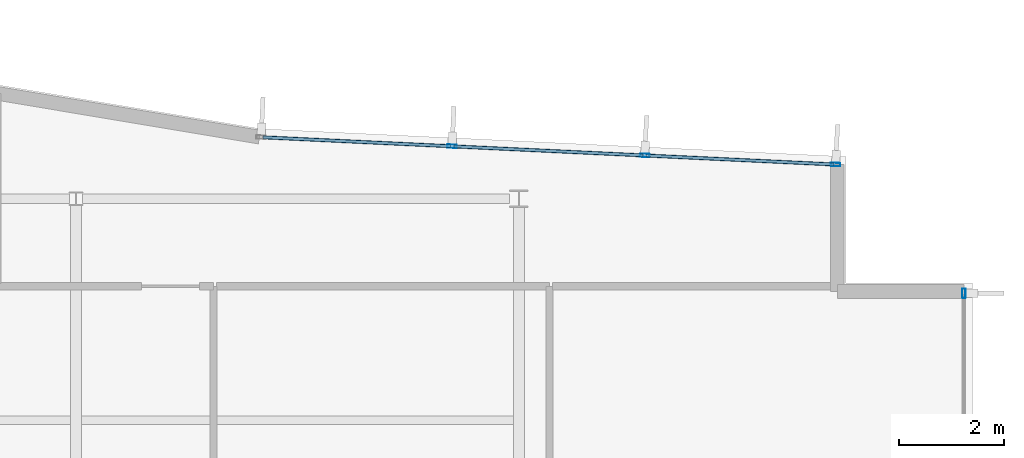
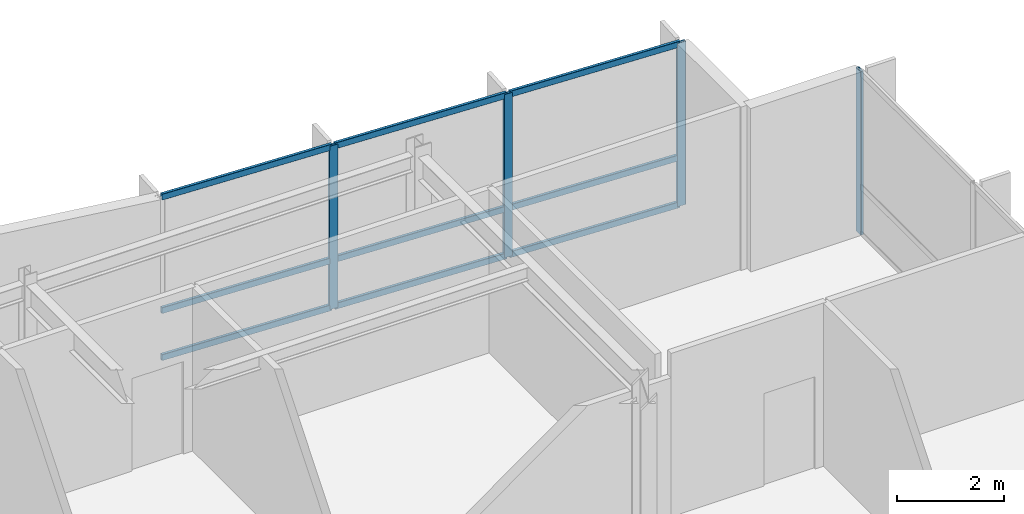
# One storey, part 9 of 16: 13 members, 2 elements without a shape of their own.
"""IFC4 building model written with IfcOpenShell, lengths in metres."""

from ifc_helpers import new_model, si_unit, direction, frame, origin, origin_2d, place, context, subcontext, project, spatial, hollow_rectangle, extrude, material, layer, layer_set, material_profile, profile_set, type_object, element, aggregate, save


model = new_model("IFC4")

# Units and contexts
model_context = context("Model", 3, precision=1e-05, world=origin(), true_north=direction((0.0, 1.0)))
body_context = subcontext(model_context, "Body", "Model", "MODEL_VIEW")
ifc_project = project(units=[si_unit("LENGTHUNIT", "METRE"), si_unit("AREAUNIT", "SQUARE_METRE"), si_unit("VOLUMEUNIT", "CUBIC_METRE"), si_unit("PLANEANGLEUNIT", "RADIAN"), si_unit("MASSUNIT", "GRAM", prefix="KILO")], contexts=[model_context])

# Site, building, storey
site_placement = place(None, origin())
site = spatial("IfcSite", under=ifc_project, at=site_placement, CompositionType="ELEMENT")
building_placement = place(site_placement, origin())
building = spatial("IfcBuilding", under=site, at=building_placement, Name="Varnakote Quay Hospital", CompositionType="ELEMENT")
storey_placement = place(building_placement, frame((0.0, 0.0, 264.449951171875)))
storey = spatial("IfcBuildingStorey", under=building, at=storey_placement, Name="L65", CompositionType="ELEMENT", Elevation=264.449951171875)

# Curtain wall, member
ifc_material_1 = material(Name="Anodised aluminium 6063-T6 Bronze", Category="aluminium")
ifc_layer = layer(ifc_material_1, 0.235107421875)
ifc_layer_set = layer_set([ifc_layer], Name="Anodised aluminium 6063-T6 Bronze")
curtain_wall_type = type_object("IfcCurtainWallType", Name="CW-SYS-5", PredefinedType="NOTDEFINED", material=ifc_layer_set)
curtain_wall_1_placement = place(storey_placement, origin())
curtain_wall_1 = element("IfcCurtainWall", 1, at=curtain_wall_1_placement, inside=storey, type_object=curtain_wall_type, Name="L65 Unitised Bronze Curtain Wall 1", PredefinedType="NOTDEFINED")
ifc_material_2 = material(Name="Anodised aluminium 6063-T6 Bronze", Category="aluminium")
ifc_material_profile_1 = material_profile(ifc_material_2, hollow_rectangle(XDim=0.06494140625, YDim=0.179931640625, WallThickness=0.00390625, InnerFilletRadius=0.00390625, OuterFilletRadius=0.008056640625, at=origin_2d()), Name="CW-MULL-180x65")
ifc_profile_set_1 = profile_set([ifc_material_profile_1], Name="Anodised aluminium 6063-T6 Bronze")
member_type_1 = type_object("IfcMemberType", Name="CW-MULL-180x65", PredefinedType="MULLION", material=ifc_profile_set_1)
member_1_placement = place(storey_placement, frame((42.0400390625, 27.007568359375, 0.0), z_axis=(0.0, 0.0, 1.0), x_axis=(-1.0, 0.0, 0.0)))
member_1 = element("IfcMember", 2, at=member_1_placement, type_object=member_type_1, Name="-5-L65-1 mullion 6", PredefinedType="MULLION", context=body_context, shape_type="SweptSolid", body=[
    extrude(hollow_rectangle(XDim=0.06494140625, YDim=0.179931640625, WallThickness=0.00390625, InnerFilletRadius=0.00390625, OuterFilletRadius=0.008056640625, at=origin_2d()), origin(), (0.0, 0.0, 1.0), 3.7099609375),
])
aggregate(curtain_wall_1, [member_1])

# Curtain wall, members
curtain_wall_2_placement = place(storey_placement, origin())
curtain_wall_2 = element("IfcCurtainWall", 3, at=curtain_wall_2_placement, inside=storey, type_object=curtain_wall_type, Name="L65 Unitised Bronze Curtain Wall 2", PredefinedType="NOTDEFINED")
member_2_placement = place(storey_placement, frame((39.607421875, 29.448974609375, 0.0), z_axis=(0.0, 0.0, 1.0), x_axis=(-0.04749674026, -0.998871392955, 0.0)))
member_2 = element("IfcMember", 4, at=member_2_placement, type_object=member_type_1, Name="-5-L65-2 mullion 1", PredefinedType="MULLION", context=body_context, shape_type="SweptSolid", body=[
    extrude(hollow_rectangle(XDim=0.06494140625, YDim=0.179931640625, WallThickness=0.00390625, InnerFilletRadius=0.00390625, OuterFilletRadius=0.008056640625, at=origin_2d()), origin(), (0.0, 0.0, 1.0), 3.7099609375),
])
member_3_placement = place(storey_placement, frame((35.986328125, 29.62109375, 0.0), z_axis=(0.0, 0.0, 1.0), x_axis=(-0.04749674026, -0.998871392955, 0.0)))
member_3 = element("IfcMember", 5, at=member_3_placement, type_object=member_type_1, Name="-5-L65-2 mullion 2", PredefinedType="MULLION", context=body_context, shape_type="SweptSolid", body=[
    extrude(hollow_rectangle(XDim=0.06494140625, YDim=0.179931640625, WallThickness=0.00390625, InnerFilletRadius=0.00390625, OuterFilletRadius=0.008056640625, at=origin_2d()), origin(), (0.0, 0.0, 1.0), 3.7099609375),
])
member_4_placement = place(storey_placement, frame((32.332763671875, 29.794921875, 0.0), z_axis=(0.0, 0.0, 1.0), x_axis=(-0.04749674026, -0.998871392955, 0.0)))
member_4 = element("IfcMember", 6, at=member_4_placement, type_object=member_type_1, Name="-5-L65-2 mullion 3", PredefinedType="MULLION", context=body_context, shape_type="SweptSolid", body=[
    extrude(hollow_rectangle(XDim=0.06494140625, YDim=0.179931640625, WallThickness=0.00390625, InnerFilletRadius=0.00390625, OuterFilletRadius=0.008056640625, at=origin_2d()), origin(), (0.0, 0.0, 1.0), 3.7099609375),
])
ifc_material_3 = material(Name="Anodised aluminium 6063-T6 Bronze", Category="aluminium")
ifc_material_profile_2 = material_profile(ifc_material_3, hollow_rectangle(XDim=0.06494140625, YDim=0.139892578125, WallThickness=0.00390625, InnerFilletRadius=0.00390625, OuterFilletRadius=0.007568359375, at=origin_2d()), Name="CW-TRAN-140x65")
ifc_profile_set_2 = profile_set([ifc_material_profile_2], Name="Anodised aluminium 6063-T6 Bronze")
member_type_2 = type_object("IfcMemberType", Name="CW-TRAN-140x65", PredefinedType="USERDEFINED", material=ifc_profile_set_2)
member_5_placement = place(storey_placement, frame((39.5751953125, 29.450439453125, 0.032470703125), z_axis=(-0.998870308608, 0.047519538949, 0.0), x_axis=(-0.047519538949, -0.998870308608, 0.0)))
member_5 = element("IfcMember", 7, at=member_5_placement, type_object=member_type_2, Name="-5-L65-2 transom 1.1", ObjectType="TRANSOM", PredefinedType="USERDEFINED", context=body_context, shape_type="SweptSolid", body=[
    extrude(hollow_rectangle(XDim=0.06494140625, YDim=0.139892578125, WallThickness=0.00390625, InnerFilletRadius=0.00390625, OuterFilletRadius=0.007568359375, at=origin_2d()), origin(), (0.0, 0.0, 1.0), 3.560302734375),
])
member_6_placement = place(storey_placement, frame((39.5751953125, 29.450439453125, 1.10009765625), z_axis=(-0.998870308608, 0.047519538949, 0.0), x_axis=(-0.047519538949, -0.998870308608, 0.0)))
member_6 = element("IfcMember", 8, at=member_6_placement, type_object=member_type_2, Name="-5-L65-2 transom 1.2", ObjectType="TRANSOM", PredefinedType="USERDEFINED", context=body_context, shape_type="SweptSolid", body=[
    extrude(hollow_rectangle(XDim=0.06494140625, YDim=0.139892578125, WallThickness=0.00390625, InnerFilletRadius=0.00390625, OuterFilletRadius=0.007568359375, at=origin_2d()), origin(), (0.0, 0.0, 1.0), 3.560302734375),
])
member_7_placement = place(storey_placement, frame((39.5751953125, 29.450439453125, 3.677490234375), z_axis=(-0.998870308608, 0.047519538949, 0.0), x_axis=(-0.047519538949, -0.998870308608, 0.0)))
member_7 = element("IfcMember", 9, at=member_7_placement, type_object=member_type_2, Name="-5-L65-2 transom 1.3", ObjectType="TRANSOM", PredefinedType="USERDEFINED", context=body_context, shape_type="SweptSolid", body=[
    extrude(hollow_rectangle(XDim=0.06494140625, YDim=0.139892578125, WallThickness=0.00390625, InnerFilletRadius=0.00390625, OuterFilletRadius=0.007568359375, at=origin_2d()), origin(), (0.0, 0.0, 1.0), 3.560302734375),
])
member_8_placement = place(storey_placement, frame((35.953857421875, 29.62255859375, 0.032470703125), z_axis=(-0.998871210526, 0.047500576649, 0.0), x_axis=(-0.047500576649, -0.998871210526, 0.0)))
member_8 = element("IfcMember", 10, at=member_8_placement, type_object=member_type_2, Name="-5-L65-2 transom 2.1", ObjectType="TRANSOM", PredefinedType="USERDEFINED", context=body_context, shape_type="SweptSolid", body=[
    extrude(hollow_rectangle(XDim=0.06494140625, YDim=0.139892578125, WallThickness=0.00390625, InnerFilletRadius=0.00390625, OuterFilletRadius=0.007568359375, at=origin_2d()), origin(), (0.0, 0.0, 1.0), 3.5927734375),
])
member_9_placement = place(storey_placement, frame((35.953857421875, 29.62255859375, 1.10009765625), z_axis=(-0.998871210526, 0.047500576649, 0.0), x_axis=(-0.047500576649, -0.998871210526, 0.0)))
member_9 = element("IfcMember", 11, at=member_9_placement, type_object=member_type_2, Name="-5-L65-2 transom 2.2", ObjectType="TRANSOM", PredefinedType="USERDEFINED", context=body_context, shape_type="SweptSolid", body=[
    extrude(hollow_rectangle(XDim=0.06494140625, YDim=0.139892578125, WallThickness=0.00390625, InnerFilletRadius=0.00390625, OuterFilletRadius=0.007568359375, at=origin_2d()), origin(), (0.0, 0.0, 1.0), 3.5927734375),
])
member_10_placement = place(storey_placement, frame((35.953857421875, 29.62255859375, 3.677490234375), z_axis=(-0.998871210526, 0.047500576649, 0.0), x_axis=(-0.047500576649, -0.998871210526, 0.0)))
member_10 = element("IfcMember", 12, at=member_10_placement, type_object=member_type_2, Name="-5-L65-2 transom 2.3", ObjectType="TRANSOM", PredefinedType="USERDEFINED", context=body_context, shape_type="SweptSolid", body=[
    extrude(hollow_rectangle(XDim=0.06494140625, YDim=0.139892578125, WallThickness=0.00390625, InnerFilletRadius=0.00390625, OuterFilletRadius=0.007568359375, at=origin_2d()), origin(), (0.0, 0.0, 1.0), 3.5927734375),
])
member_11_placement = place(storey_placement, frame((32.30029296875, 29.79638671875, 0.032470703125), z_axis=(-0.998870308608, 0.047519538949, 0.0), x_axis=(-0.047519538949, -0.998870308608, 0.0)))
member_11 = element("IfcMember", 13, at=member_11_placement, type_object=member_type_2, Name="-5-L65-2 transom 3.1", ObjectType="TRANSOM", PredefinedType="USERDEFINED", context=body_context, shape_type="SweptSolid", body=[
    extrude(hollow_rectangle(XDim=0.06494140625, YDim=0.139892578125, WallThickness=0.00390625, InnerFilletRadius=0.00390625, OuterFilletRadius=0.007568359375, at=origin_2d()), origin(), (0.0, 0.0, 1.0), 3.560302734375),
])
member_12_placement = place(storey_placement, frame((32.30029296875, 29.79638671875, 1.10009765625), z_axis=(-0.998870308608, 0.047519538949, 0.0), x_axis=(-0.047519538949, -0.998870308608, 0.0)))
member_12 = element("IfcMember", 14, at=member_12_placement, type_object=member_type_2, Name="-5-L65-2 transom 3.2", ObjectType="TRANSOM", PredefinedType="USERDEFINED", context=body_context, shape_type="SweptSolid", body=[
    extrude(hollow_rectangle(XDim=0.06494140625, YDim=0.139892578125, WallThickness=0.00390625, InnerFilletRadius=0.00390625, OuterFilletRadius=0.007568359375, at=origin_2d()), origin(), (0.0, 0.0, 1.0), 3.560302734375),
])
member_13_placement = place(storey_placement, frame((32.30029296875, 29.79638671875, 3.677490234375), z_axis=(-0.998870308608, 0.047519538949, 0.0), x_axis=(-0.047519538949, -0.998870308608, 0.0)))
member_13 = element("IfcMember", 15, at=member_13_placement, type_object=member_type_2, Name="-5-L65-2 transom 3.3", ObjectType="TRANSOM", PredefinedType="USERDEFINED", context=body_context, shape_type="SweptSolid", body=[
    extrude(hollow_rectangle(XDim=0.06494140625, YDim=0.139892578125, WallThickness=0.00390625, InnerFilletRadius=0.00390625, OuterFilletRadius=0.007568359375, at=origin_2d()), origin(), (0.0, 0.0, 1.0), 3.560302734375),
])
aggregate(curtain_wall_2, [member_2, member_3, member_4, member_5, member_6, member_7, member_8, member_9, member_10, member_11, member_12, member_13])

save(model, "model.ifc")
